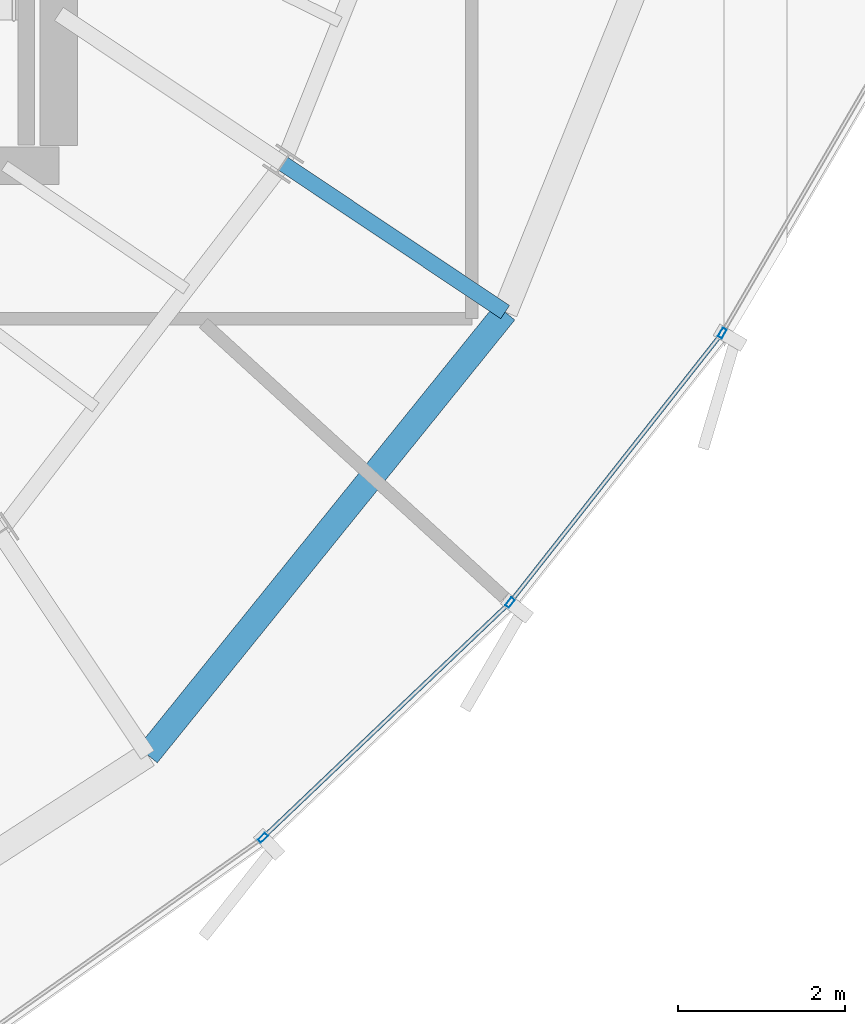
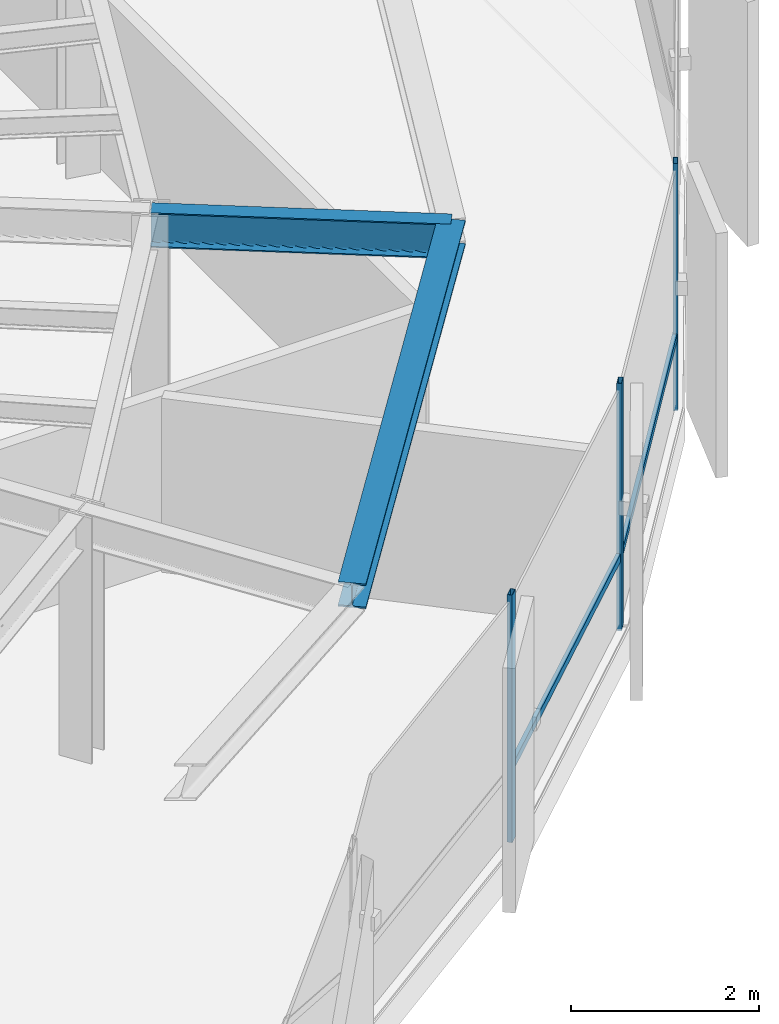
# One storey, part 13 of 36: 5 members, 2 beams, 1 element without a shape of its own.
"""IFC4 building model written with IfcOpenShell, lengths in metres."""

from ifc_helpers import new_model, si_unit, direction, frame, origin, origin_2d, place, context, subcontext, project, spatial, hollow_rectangle, i_section, extrude, source, transform, mapped, material, layer, layer_set, material_profile, profile_set, type_object, element, aggregate, save


model = new_model("IFC4")

# Units and contexts
model_context = context("Model", 3, precision=1e-05, world=origin(), true_north=direction((0.0, 1.0)))
body_context = subcontext(model_context, "Body", "Model", "MODEL_VIEW")
ifc_project = project(units=[si_unit("LENGTHUNIT", "METRE"), si_unit("AREAUNIT", "SQUARE_METRE"), si_unit("VOLUMEUNIT", "CUBIC_METRE"), si_unit("PLANEANGLEUNIT", "RADIAN"), si_unit("MASSUNIT", "GRAM", prefix="KILO"), si_unit("THERMODYNAMICTEMPERATUREUNIT", "KELVIN")], contexts=[model_context])

# Site, building, storey
site_placement = place(None, origin())
site = spatial("IfcSite", under=ifc_project, at=site_placement, CompositionType="ELEMENT")
building_placement = place(site_placement, origin())
building = spatial("IfcBuilding", under=site, at=building_placement, Name="Kethvar Cultural Tower", CompositionType="ELEMENT")
storey_placement = place(building_placement, frame((0.0, 0.0, 228.39990234375)))
storey = spatial("IfcBuildingStorey", under=building, at=storey_placement, Name="L59", CompositionType="ELEMENT", Elevation=228.39990234375)

# Beams
ifc_material_1 = material(Name="Steel S355J2", Category="steel")
ifc_material_profile_1 = material_profile(ifc_material_1, i_section(OverallWidth=0.18994140625, OverallDepth=0.449951171875, WebThickness=0.009521484375, FlangeThickness=0.0146484375, FilletRadius=0.02099609375, at=origin_2d()), Name="Steel S355J2 — IPE450")
ifc_profile_set_1 = profile_set([ifc_material_profile_1], Name="Steel S355J2 — IPE450")
beam_type_1 = type_object("IfcBeamType", Name="BM-IPE450", PredefinedType="BEAM", material=ifc_profile_set_1)
shared_shape_1 = source(origin(), body_context, "Body", "SweptSolid", [
    extrude(i_section(OverallWidth=0.18994140625, OverallDepth=0.449951171875, WebThickness=0.009521484375, FlangeThickness=0.0146484375, FilletRadius=0.02099609375, at=origin_2d()), origin(), (0.0, 0.0, 1.0), 3.199951171875),
])
beam_1_placement = place(storey_placement, frame((58.287109375, 20.12451171875, 2.983154296875), z_axis=(0.831462943996, -0.555580212716, 0.0), x_axis=(0.555580212716, 0.831462943996, 0.0)))
element("IfcBeam", 1, at=beam_1_placement, inside=storey, type_object=beam_type_1, Name="L59 Perimeter Cantilever Beam RC-15", PredefinedType="BEAM", context=body_context, shape_type="MappedRepresentation", body=[
    mapped(shared_shape_1, transform((0.0, 0.0, 0.0), scale=1.0)),
])
ifc_material_profile_2 = material_profile(ifc_material_1, i_section(OverallWidth=0.300048828125, OverallDepth=0.320068359375, WebThickness=0.011474609375, FlangeThickness=0.0205078125, FilletRadius=0.027099609375, at=origin_2d()), Name="Steel S355J2 — HEB320")
ifc_profile_set_2 = profile_set([ifc_material_profile_2], Name="Steel S355J2 — HEB320")
beam_type_2 = type_object("IfcBeamType", Name="BM-SP320", PredefinedType="SPANDREL", material=ifc_profile_set_2)
shared_shape_2 = source(origin(), body_context, "Body", "SweptSolid", [
    extrude(i_section(OverallWidth=0.300048828125, OverallDepth=0.320068359375, WebThickness=0.011474609375, FlangeThickness=0.0205078125, FilletRadius=0.027099609375, at=origin_2d()), origin(), (0.0, 0.0, 1.0), 6.8212890625),
])
beam_2_placement = place(storey_placement, frame((56.66259765625, 13.039306640625, 3.048095703125), z_axis=(0.628197971595, 0.778053538315, 0.0), x_axis=(-0.778053538315, 0.628197971595, 0.0)))
element("IfcBeam", 2, at=beam_2_placement, inside=storey, type_object=beam_type_2, Name="L59 Perimeter Spandrel Beam SP-14", PredefinedType="SPANDREL", context=body_context, shape_type="MappedRepresentation", body=[
    mapped(shared_shape_2, transform((0.0, 0.0, 0.0), scale=1.0)),
])

# Curtain wall, members
ifc_material_2 = material(Name="Aluminium 6063-T6", Category="aluminium")
ifc_layer = layer(ifc_material_2, 0.179931640625, Name="Aluminium 6063-T6", Category="aluminium")
ifc_layer_set = layer_set([ifc_layer], Name="Aluminium 6063-T6 (180 mm)")
curtain_wall_type = type_object("IfcCurtainWallType", Name="CW-SYS-05-Z56", PredefinedType="NOTDEFINED", material=ifc_layer_set)
curtain_wall_placement = place(storey_placement, origin())
curtain_wall = element("IfcCurtainWall", 3, at=curtain_wall_placement, inside=storey, type_object=curtain_wall_type, Name="L59 Curtain Wall Run 05", PredefinedType="NOTDEFINED")
ifc_material_profile_3 = material_profile(ifc_material_2, hollow_rectangle(XDim=0.054931640625, YDim=0.1201171875, WallThickness=0.00390625, at=origin_2d()), Name="Aluminium 6063-T6 — RHS120x55x4")
ifc_profile_set_3 = profile_set([ifc_material_profile_3], Name="Aluminium 6063-T6 — RHS120x55x4")
member_type_1 = type_object("IfcMemberType", Name="CW-SYS-05-Z56-MUL", PredefinedType="MULLION", material=ifc_profile_set_3)
shared_shape_3 = source(origin(), body_context, "Body", "SweptSolid", [
    extrude(hollow_rectangle(XDim=0.054931640625, YDim=0.1201171875, WallThickness=0.00390625, at=origin_2d()), origin(), (0.0, 0.0, 1.0), 3.210205078125),
])
member_1_placement = place(storey_placement, frame((58.044921875, 12.046875, 0.0), z_axis=(0.0, 0.0, 1.0), x_axis=(-0.689594264949, 0.72419593326, 0.0)))
member_1 = element("IfcMember", 4, at=member_1_placement, type_object=member_type_1, Name="CW-L59-R05 Mullion 3", PredefinedType="MULLION", context=body_context, shape_type="MappedRepresentation", body=[
    mapped(shared_shape_3, transform((0.0, 0.0, 0.0), scale=1.0)),
])
member_2_placement = place(storey_placement, frame((61.00537109375, 14.864501953125, 0.0), z_axis=(0.0, 0.0, 1.0), x_axis=(-0.785619383472, 0.618710097148, 0.0)))
member_2 = element("IfcMember", 5, at=member_2_placement, type_object=member_type_1, Name="CW-L59-R05 Mullion 4", PredefinedType="MULLION", context=body_context, shape_type="MappedRepresentation", body=[
    mapped(shared_shape_3, transform((0.0, 0.0, 0.0), scale=1.0)),
])
member_3_placement = place(storey_placement, frame((63.550537109375, 18.0947265625, 0.0), z_axis=(0.0, 0.0, 1.0), x_axis=(-0.863923417193, 0.503623201636, 0.0)))
member_3 = element("IfcMember", 6, at=member_3_placement, type_object=member_type_1, Name="CW-L59-R05 Mullion 5", PredefinedType="MULLION", context=body_context, shape_type="MappedRepresentation", body=[
    mapped(shared_shape_3, transform((0.0, 0.0, 0.0), scale=1.0)),
])
ifc_material_profile_4 = material_profile(ifc_material_2, hollow_rectangle(XDim=0.050048828125, YDim=0.10009765625, WallThickness=0.00390625, at=origin_2d()), Name="Aluminium 6063-T6 — RHS100x50x4")
ifc_profile_set_4 = profile_set([ifc_material_profile_4], Name="Aluminium 6063-T6 — RHS100x50x4")
member_type_2 = type_object("IfcMemberType", Name="CW-SYS-05-Z56-TRN", PredefinedType="USERDEFINED", material=ifc_profile_set_4)
shared_shape_4 = source(origin(), body_context, "Body", "SweptSolid", [
    extrude(hollow_rectangle(XDim=0.050048828125, YDim=0.10009765625, WallThickness=0.00390625, at=origin_2d()), origin(), (0.0, 0.0, 1.0), 4.02197265625),
])
member_4_placement = place(storey_placement, frame((58.073486328125, 12.07421875, 0.9501953125), z_axis=(0.724224538036, 0.689564223627, 0.0), x_axis=(-0.689564223627, 0.724224538036, 0.0)))
member_4 = element("IfcMember", 7, at=member_4_placement, type_object=member_type_2, Name="CW-L59-R05 Transom 3", ObjectType="TRANSOM", PredefinedType="USERDEFINED", context=body_context, shape_type="MappedRepresentation", body=[
    mapped(shared_shape_4, transform((0.0, 0.0, 0.0), scale=1.0)),
])
shared_shape_5 = source(origin(), body_context, "Body", "SweptSolid", [
    extrude(hollow_rectangle(XDim=0.050048828125, YDim=0.10009765625, WallThickness=0.00390625, at=origin_2d()), origin(), (0.0, 0.0, 1.0), 4.04736328125),
])
member_5_placement = place(storey_placement, frame((61.02978515625, 14.8955078125, 0.9501953125), z_axis=(0.618710936459, 0.785618722477, 0.0), x_axis=(-0.785618722477, 0.618710936459, 0.0)))
member_5 = element("IfcMember", 8, at=member_5_placement, type_object=member_type_2, Name="CW-L59-R05 Transom 4", ObjectType="TRANSOM", PredefinedType="USERDEFINED", context=body_context, shape_type="MappedRepresentation", body=[
    mapped(shared_shape_5, transform((0.0, 0.0, 0.0), scale=1.0)),
])
aggregate(curtain_wall, [member_1, member_2, member_3, member_4, member_5])

save(model, "model.ifc")
